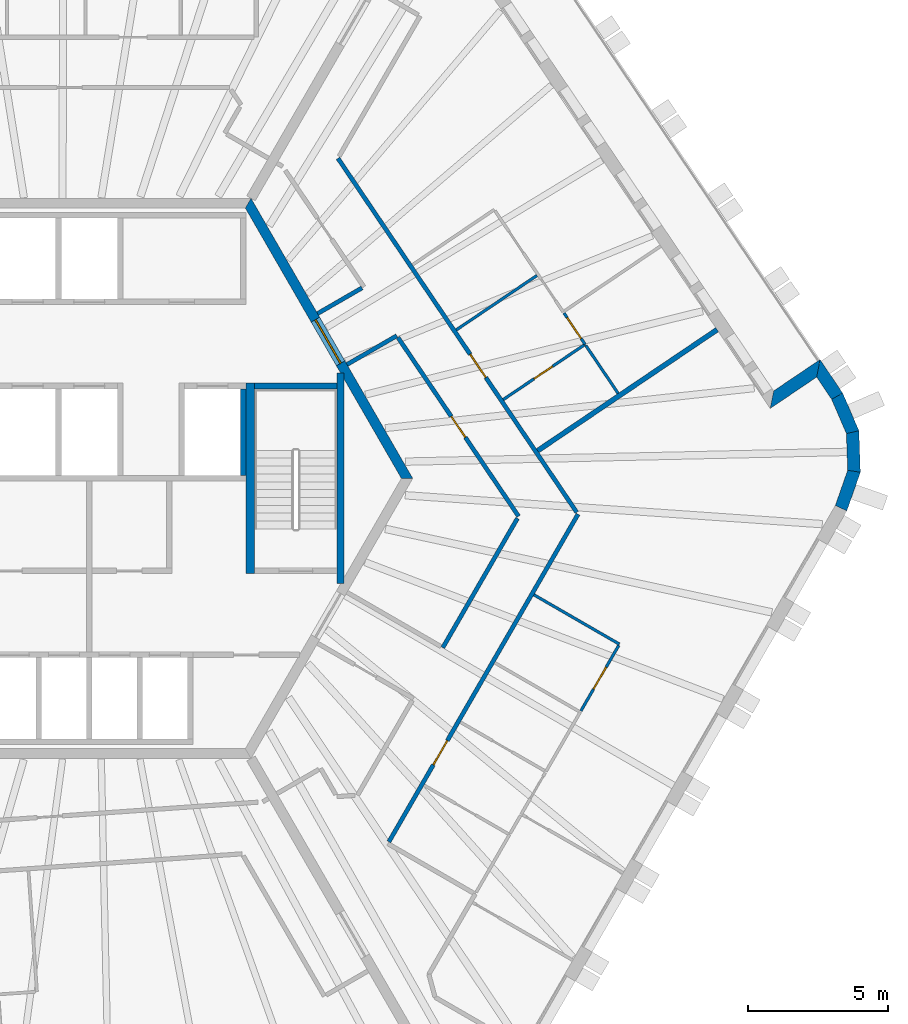
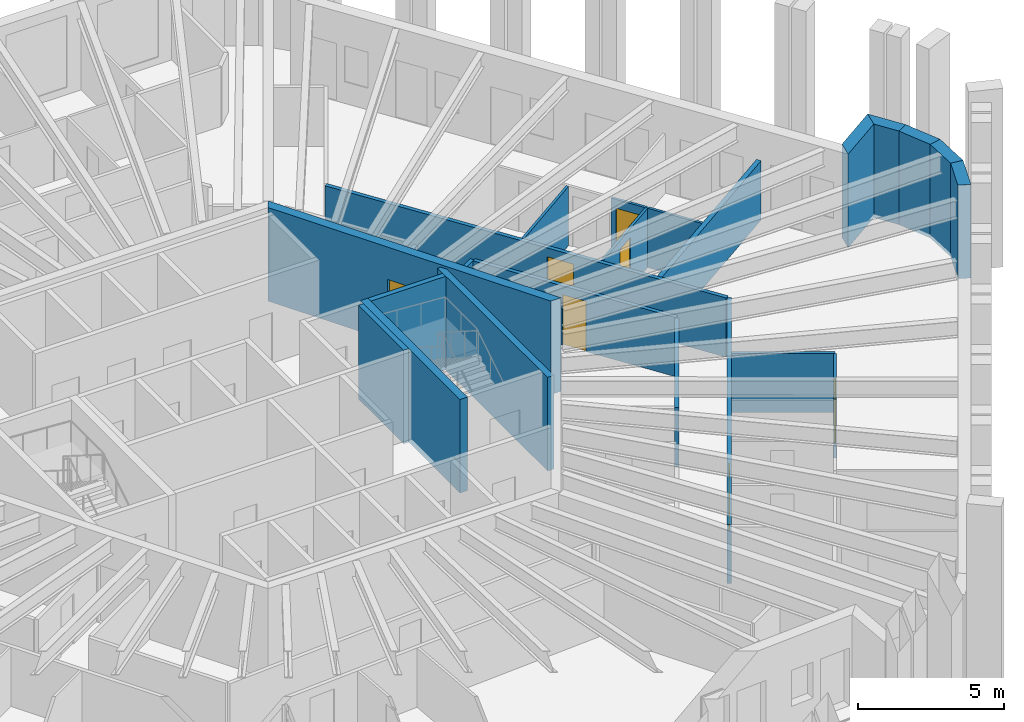
# One storey, part 7 of 12: 23 walls, 7 doors, 7 openings.
"""IFC4 building model written with IfcOpenShell, lengths in metres."""

from ifc_helpers import new_model, si_unit, direction, frame, frame_2d, origin, place, context, subcontext, project, spatial, polyline, rectangle, outline, extrude, material, layer, layer_set, type_object, element, fill, save


model = new_model("IFC4")

# Units and contexts
model_context = context("Model", 3, precision=1e-05, world=origin(), true_north=direction((0.0, 1.0)))
body_context = subcontext(model_context, "Body", "Model", "MODEL_VIEW")
ifc_project = project(units=[si_unit("LENGTHUNIT", "METRE"), si_unit("AREAUNIT", "SQUARE_METRE"), si_unit("VOLUMEUNIT", "CUBIC_METRE"), si_unit("PLANEANGLEUNIT", "RADIAN"), si_unit("MASSUNIT", "GRAM", prefix="KILO")], contexts=[model_context])

# Site, building, storey
site_placement = place(None, origin())
site = spatial("IfcSite", under=ifc_project, at=site_placement, CompositionType="ELEMENT")
building_placement = place(site_placement, origin())
building = spatial("IfcBuilding", under=site, at=building_placement, Name="Tarnside Tower", CompositionType="ELEMENT")
storey_placement = place(building_placement, frame((0.0, 0.0, 369.0)))
storey = spatial("IfcBuildingStorey", under=building, at=storey_placement, Name="L89", CompositionType="ELEMENT", Elevation=369.0)

# Wall, opening, door
ifc_material_1 = material(Name="Gypsum board partition on steel studs", Category="steel")
ifc_layer_1 = layer(ifc_material_1, 0.10009765625)
ifc_layer_set_1 = layer_set([ifc_layer_1], Name="Bathroom wall 100")
wall_type_1 = type_object("IfcWallType", Name="Bathroom wall 100", PredefinedType="PARTITIONING", material=ifc_layer_set_1)
wall_1_placement = place(storey_placement, frame((14.7783203125, 2.813232421875, 0.0), z_axis=(0.0, 0.0, 1.0), x_axis=(0.829033300448, 0.559199237078, 0.0)))
wall_1 = element("IfcWall", 1, at=wall_1_placement, inside=storey, type_object=wall_type_1, Name="Bathroom wall 29148", PredefinedType="PARTITIONING", context=body_context, shape_type="SweptSolid", body=[
    extrude(rectangle(XDim=3.525146484375, YDim=0.10009765625, at=frame_2d((1.7626953125, 0.0))), origin(), (0.0, 0.0, 1.0), 2.469970703125),
])
opening_1_placement = place(wall_1_placement, frame((1.324951171875, 0.0, 0.0)))
opening_1 = element("IfcOpeningElement", 2, at=opening_1_placement, cuts=wall_1, Name="Opening D-B1", PredefinedType="OPENING", context=body_context, shape_type="SweptSolid", body=[
    extrude(rectangle(XDim=0.800048828125, YDim=2.10009765625, at=frame_2d((0.39990234375, 1.050048828125))), frame((0.0, 0.06005859375, 0.0), z_axis=(0.0, -1.0, 0.0), x_axis=(1.0, 0.0, 0.0)), (0.0, 0.0, 1.0), 0.1201171875),
])
ifc_material_2 = material(Name="Timber door leaf", Category="wood")
door_type_1 = type_object("IfcDoorType", Name="Bathroom door 800", OperationType="NOTDEFINED", PredefinedType="DOOR", material=ifc_material_2)
door_1_placement = place(opening_1_placement, origin())
door_1 = element("IfcDoor", 3, at=door_1_placement, inside=storey, type_object=door_type_1, Name="Bathroom door 29051", OperationType="SINGLE_SWING_RIGHT", OverallHeight=2.10009765625, OverallWidth=0.800048828125, PredefinedType="DOOR", context=body_context, shape_type="SweptSolid", body=[
    extrude(rectangle(XDim=0.800048828125, YDim=2.10009765625, at=frame_2d((0.39990234375, 1.050048828125))), frame((0.0, 0.02490234375, 0.0), z_axis=(0.0, -1.0, 0.0), x_axis=(1.0, 0.0, 0.0)), (0.0, 0.0, 1.0), 0.050048828125),
])
fill(opening_1, door_1)

# Wall
wall_2_placement = place(storey_placement, frame((18.880615234375, 3.03515625, 0.0), z_axis=(0.0, 0.0, 1.0), x_axis=(-0.559200338399, 0.829032557584, 0.0)))
element("IfcWall", 4, at=wall_2_placement, inside=storey, type_object=wall_type_1, Name="Bathroom wall 29151", PredefinedType="PARTITIONING", context=body_context, shape_type="SweptSolid", body=[
    extrude(rectangle(XDim=2.06201171875, YDim=0.10009765625, at=frame_2d((1.031005859375, 0.0))), origin(), (0.0, 0.0, 1.0), 2.469970703125),
])

# Wall, opening, door
ifc_material_3 = material(Name="Concrete C50/60", Category="concrete")
ifc_layer_2 = layer(ifc_material_3, 0.35009765625)
ifc_layer_set_2 = layer_set([ifc_layer_2], Name="Core wall Z4 350 C50/60")
wall_type_2 = type_object("IfcWallType", Name="Core wall Z4 350 C50/60", PredefinedType="SHEAR", material=ifc_layer_set_2)
wall_3_placement = place(storey_placement, frame((11.344970703125, 0.0, -0.14990234375), z_axis=(0.0, 0.0, 1.0), x_axis=(-0.499995046907, 0.866028263435, 0.0)))
wall_3 = element("IfcWall", 5, at=wall_3_placement, inside=storey, type_object=wall_type_2, Name="L89 core wall face 6", PredefinedType="SHEAR", context=body_context, shape_type="SweptSolid", body=[
    extrude(outline(polyline([(-0.10107421875, -0.175048828125), (11.44580078125, -0.175048828125), (11.24365234375, 0.175048828125), (0.10107421875, 0.175048828125), (-0.10107421875, -0.175048828125)])), origin(), (0.0, 0.0, 1.0), 3.89990234375),
])
opening_2_placement = place(wall_3_placement, frame((4.74365234375, 0.0, 0.14990234375)))
opening_2 = element("IfcOpeningElement", 6, at=opening_2_placement, cuts=wall_3, Name="Opening CD-LOB", PredefinedType="OPENING", context=body_context, shape_type="SweptSolid", body=[
    extrude(rectangle(XDim=1.800048828125, YDim=2.39990234375, at=frame_2d((0.89990234375, 1.199951171875))), frame((0.0, 0.18505859375, 0.0), z_axis=(0.0, -1.0, 0.0), x_axis=(1.0, 0.0, 0.0)), (0.0, 0.0, 1.0), 0.3701171875),
])
ifc_material_4 = material(Name="Steel fire door", Category="steel")
door_type_2 = type_object("IfcDoorType", Name="Lobby double door FD30S 1800x2400", OperationType="NOTDEFINED", PredefinedType="DOOR", material=ifc_material_4)
door_2_placement = place(opening_2_placement, origin())
door_2 = element("IfcDoor", 7, at=door_2_placement, inside=storey, type_object=door_type_2, Name="L89 core door P2", OperationType="DOUBLE_DOOR_SINGLE_SWING", OverallHeight=2.39990234375, OverallWidth=1.800048828125, PredefinedType="DOOR", context=body_context, shape_type="SweptSolid", body=[
    extrude(rectangle(XDim=1.800048828125, YDim=2.39990234375, at=frame_2d((0.89990234375, 1.199951171875))), frame((0.0, 0.02490234375, 0.0), z_axis=(0.0, -1.0, 0.0), x_axis=(1.0, 0.0, 0.0)), (0.0, 0.0, 1.0), 0.050048828125),
])
fill(opening_2, door_2)

ifc_layer_3 = layer(ifc_material_1, 0.14990234375)
ifc_layer_set_3 = layer_set([ifc_layer_3], Name="Corridor wall 150 EI 60")
wall_type_3 = type_object("IfcWallType", Name="Corridor wall 150 EI 60", PredefinedType="PARTITIONING", material=ifc_layer_set_3)
wall_4_placement = place(storey_placement, frame((10.696533203125, -12.973388671875, 0.0), z_axis=(0.0, 0.0, 1.0), x_axis=(0.499991115059, 0.866030533446, 0.0)))
wall_4 = element("IfcWall", 8, at=wall_4_placement, inside=storey, type_object=wall_type_3, Name="Corridor wall 29051", PredefinedType="PARTITIONING", context=body_context, shape_type="SweptSolid", body=[
    extrude(rectangle(XDim=13.503662109375, YDim=0.14990234375, at=frame_2d((6.751953125, 0.0))), origin(), (0.0, 0.0, 1.0), 2.469970703125),
])
opening_3_placement = place(wall_4_placement, frame((3.175048828125, 0.0, 0.0)))
opening_3 = element("IfcOpeningElement", 9, at=opening_3_placement, cuts=wall_4, Name="Opening D-E1", PredefinedType="OPENING", context=body_context, shape_type="SweptSolid", body=[
    extrude(rectangle(XDim=1.0, YDim=2.10009765625, at=frame_2d((0.5, 1.050048828125))), frame((0.0, 0.0849609375, 0.0), z_axis=(0.0, -1.0, 0.0), x_axis=(1.0, 0.0, 0.0)), (0.0, 0.0, 1.0), 0.169921875),
])
door_type_3 = type_object("IfcDoorType", Name="Unit entrance door 1000 FD30S", OperationType="NOTDEFINED", PredefinedType="DOOR", material=ifc_material_2)
door_3_placement = place(opening_3_placement, origin())
door_3 = element("IfcDoor", 10, at=door_3_placement, inside=storey, type_object=door_type_3, Name="Unit door 29041", OperationType="SINGLE_SWING_LEFT", OverallHeight=2.10009765625, OverallWidth=1.0, PredefinedType="DOOR", context=body_context, shape_type="SweptSolid", body=[
    extrude(rectangle(XDim=1.0, YDim=2.10009765625, at=frame_2d((0.5, 1.050048828125))), frame((0.0, 0.02490234375, 0.0), z_axis=(0.0, -1.0, 0.0), x_axis=(1.0, 0.0, 0.0)), (0.0, 0.0, 1.0), 0.050048828125),
])
fill(opening_3, door_3)

wall_5_placement = place(storey_placement, frame((17.4013671875, -1.209716796875, 0.0), z_axis=(0.0, 0.0, 1.0), x_axis=(-0.559186729505, 0.829041736914, 0.0)))
wall_5 = element("IfcWall", 11, at=wall_5_placement, inside=storey, type_object=wall_type_3, Name="Corridor wall 29052", PredefinedType="PARTITIONING", context=body_context, shape_type="SweptSolid", body=[
    extrude(rectangle(XDim=15.24267578125, YDim=0.14990234375, at=frame_2d((7.621337890625, 0.0))), origin(), (0.0, 0.0, 1.0), 2.469970703125),
])
opening_4_placement = place(wall_5_placement, frame((5.80224609375, 0.0, 0.0)))
opening_4 = element("IfcOpeningElement", 12, at=opening_4_placement, cuts=wall_5, Name="Opening D-E1", PredefinedType="OPENING", context=body_context, shape_type="SweptSolid", body=[
    extrude(rectangle(XDim=1.0, YDim=2.10009765625, at=frame_2d((0.5, 1.050048828125))), frame((0.0, 0.0849609375, 0.0), z_axis=(0.0, -1.0, 0.0), x_axis=(1.0, 0.0, 0.0)), (0.0, 0.0, 1.0), 0.169921875),
])
door_4_placement = place(opening_4_placement, origin())
door_4 = element("IfcDoor", 13, at=door_4_placement, inside=storey, type_object=door_type_3, Name="Unit door 29050", OperationType="SINGLE_SWING_RIGHT", OverallHeight=2.10009765625, OverallWidth=1.0, PredefinedType="DOOR", context=body_context, shape_type="SweptSolid", body=[
    extrude(rectangle(XDim=1.0, YDim=2.10009765625, at=frame_2d((0.5, 1.050048828125))), frame((0.0, 0.02490234375, 0.0), z_axis=(0.0, -1.0, 0.0), x_axis=(1.0, 0.0, 0.0)), (0.0, 0.0, 1.0), 0.050048828125),
])
fill(opening_4, door_4)

# Wall
wall_6_placement = place(storey_placement, frame((9.19970703125, 4.065673828125, 0.0), z_axis=(0.0, 0.0, 1.0), x_axis=(0.866011447264, 0.500024172624, 0.0)))
element("IfcWall", 14, at=wall_6_placement, inside=storey, type_object=wall_type_3, Name="Corridor wall 29068", PredefinedType="PARTITIONING", context=body_context, shape_type="SweptSolid", body=[
    extrude(rectangle(XDim=2.0546875, YDim=0.14990234375, at=frame_2d((1.02734375, 0.0))), origin(), (0.0, 0.0, 1.0), 2.469970703125),
])

# Wall, opening, door
wall_7_placement = place(storey_placement, frame((11.02099609375, 5.03076171875, 0.0), z_axis=(0.0, 0.0, 1.0), x_axis=(0.559191842266, -0.829038288346, 0.0)))
wall_7 = element("IfcWall", 15, at=wall_7_placement, inside=storey, type_object=wall_type_3, Name="Corridor wall 29069", PredefinedType="PARTITIONING", context=body_context, shape_type="SweptSolid", body=[
    extrude(rectangle(XDim=7.7001953125, YDim=0.14990234375, at=frame_2d((3.85009765625, 0.0))), origin(), (0.0, 0.0, 1.0), 2.469970703125),
])
opening_5_placement = place(wall_7_placement, frame((3.400146484375, 0.0, 0.0)))
opening_5 = element("IfcOpeningElement", 16, at=opening_5_placement, cuts=wall_7, Name="Opening D-S1", PredefinedType="OPENING", context=body_context, shape_type="SweptSolid", body=[
    extrude(rectangle(XDim=0.89990234375, YDim=2.10009765625, at=frame_2d((0.449951171875, 1.050048828125))), frame((0.0, 0.0849609375, 0.0), z_axis=(0.0, -1.0, 0.0), x_axis=(1.0, 0.0, 0.0)), (0.0, 0.0, 1.0), 0.169921875),
])
door_type_4 = type_object("IfcDoorType", Name="Service room door 900 FD30S", OperationType="NOTDEFINED", PredefinedType="DOOR", material=ifc_material_2)
door_5_placement = place(opening_5_placement, origin())
door_5 = element("IfcDoor", 17, at=door_5_placement, inside=storey, type_object=door_type_4, Name="Service door 29061", OperationType="SINGLE_SWING_LEFT", OverallHeight=2.10009765625, OverallWidth=0.89990234375, PredefinedType="DOOR", context=body_context, shape_type="SweptSolid", body=[
    extrude(rectangle(XDim=0.89990234375, YDim=2.10009765625, at=frame_2d((0.449951171875, 1.050048828125))), frame((0.0, 0.02490234375, 0.0), z_axis=(0.0, -1.0, 0.0), x_axis=(1.0, 0.0, 0.0)), (0.0, 0.0, 1.0), 0.050048828125),
])
fill(opening_5, door_5)

# Walls
wall_8_placement = place(storey_placement, frame((15.28515625, -1.42529296875, 0.0), z_axis=(0.0, 0.0, 1.0), x_axis=(-0.499972278664, -0.866041408113, 0.0)))
element("IfcWall", 18, at=wall_8_placement, inside=storey, type_object=wall_type_3, Name="Corridor wall 29070", PredefinedType="PARTITIONING", context=body_context, shape_type="SweptSolid", body=[
    extrude(rectangle(XDim=5.329345703125, YDim=0.14990234375, at=frame_2d((2.66455078125, 0.0))), origin(), (0.0, 0.0, 1.0), 2.469970703125),
])
wall_9_placement = place(storey_placement, frame((9.73681640625, 6.800537109375, 0.0), z_axis=(0.0, 0.0, 1.0), x_axis=(-0.866045829247, -0.499964620392, 0.0)))
element("IfcWall", 19, at=wall_9_placement, inside=storey, type_object=wall_type_3, Name="Corridor wall 29079", PredefinedType="PARTITIONING", context=body_context, shape_type="SweptSolid", body=[
    extrude(rectangle(XDim=1.832763671875, YDim=0.14990234375, at=frame_2d((0.91650390625, 0.0))), origin(), (0.0, 0.0, 1.0), 2.469970703125),
])
ifc_layer_4 = layer(ifc_material_1, 0.179931640625)
ifc_layer_set_4 = layer_set([ifc_layer_4], Name="Demising wall 180 EI 60")
wall_type_4 = type_object("IfcWallType", Name="Demising wall 180 EI 60", PredefinedType="PARTITIONING", material=ifc_layer_set_4)
wall_10_placement = place(storey_placement, frame((22.412841796875, 5.309326171875, 0.0), z_axis=(0.0, 0.0, 1.0), x_axis=(-0.82903328576, -0.559199258853, 0.0)))
element("IfcWall", 20, at=wall_10_placement, inside=storey, type_object=wall_type_4, Name="Demising wall 29136", PredefinedType="PARTITIONING", context=body_context, shape_type="SweptSolid", body=[
    extrude(rectangle(XDim=7.72509765625, YDim=0.179931640625, at=frame_2d((3.862548828125, 0.0))), origin(), (0.0, 0.0, 1.0), 2.469970703125),
])
ifc_material_5 = material(Name="Concrete C40/50", Category="concrete")
ifc_layer_5 = layer(ifc_material_5, 0.199951171875)
ifc_layer_set_5 = layer_set([ifc_layer_5], Name="Lift shaft wall 200 C40/50")
wall_type_5 = type_object("IfcWallType", Name="Lift shaft wall 200 C40/50", PredefinedType="SHEAR", material=ifc_layer_set_5)
wall_11_placement = place(storey_placement, frame((5.5, 0.10009765625, -0.25), z_axis=(0.0, 0.0, 1.0), x_axis=(0.0, 1.0, 0.0)))
element("IfcWall", 21, at=wall_11_placement, inside=storey, type_object=wall_type_5, Name="L89 lift shaft partition R26", PredefinedType="SHEAR", context=body_context, shape_type="SweptSolid", body=[
    extrude(rectangle(XDim=3.099853515625, YDim=0.199951171875, at=frame_2d((1.5498046875, 0.0))), origin(), (0.0, 0.0, 1.0), 3.89990234375),
])
wall_12_placement = place(storey_placement, frame((5.89990234375, 3.300048828125, -0.25), z_axis=(0.0, 0.0, 1.0), x_axis=(1.0, 0.0, 0.0)))
element("IfcWall", 22, at=wall_12_placement, inside=storey, type_object=wall_type_5, Name="L89 stair 1 enclosure cap wall n", PredefinedType="SHEAR", context=body_context, shape_type="SweptSolid", body=[
    extrude(rectangle(XDim=2.9501953125, YDim=0.199951171875, at=frame_2d((1.47509765625, 0.0))), origin(), (0.0, 0.0, 1.0), 3.89990234375),
])
ifc_material_6 = material(Name="Dark zinc cladding")
ifc_layer_6 = layer(ifc_material_6, 0.10205078125)
ifc_material_7 = material(Name="Concrete C60/75 precast", Category="concrete")
ifc_layer_7 = layer(ifc_material_7, 0.248046875)
ifc_material_8 = material(Name="Mineral wool insulation")
ifc_layer_8 = layer(ifc_material_8, 0.10009765625)
ifc_layer_set_6 = layer_set([ifc_layer_6, ifc_layer_7, ifc_layer_8], Name="Loggia wall 450 zinc faced")
wall_type_6 = type_object("IfcWallType", Name="Loggia wall 450 zinc faced", PredefinedType="SOLIDWALL", material=ifc_layer_set_6)
wall_13_placement = place(storey_placement, frame((26.69873046875, 2.93408203125, -0.14990234375), z_axis=(0.0, 0.0, 1.0), x_axis=(-0.559105892217, 0.829096255744, 0.0)))
element("IfcWall", 23, at=wall_13_placement, inside=storey, type_object=wall_type_6, Name="Tube wall L89 F6 stub 28", PredefinedType="SOLIDWALL", context=body_context, shape_type="SweptSolid", body=[
    extrude(outline(polyline([(-0.02099609375, -0.22509765625), (1.4248046875, -0.22509765625), (0.97509765625, 0.22509765625), (0.02099609375, 0.22509765625), (-0.02099609375, -0.22509765625)])), origin(), (0.0, 0.0, 1.0), 3.89990234375),
])
wall_14_placement = place(storey_placement, frame((26.02783203125, 3.928955078125, -0.14990234375), z_axis=(0.0, 0.0, 1.0), x_axis=(-0.829052389485, -0.559170935841, 0.0)))
element("IfcWall", 24, at=wall_14_placement, inside=storey, type_object=wall_type_6, Name="Tube wall L89 F6 return 29", PredefinedType="SOLIDWALL", context=body_context, shape_type="SweptSolid", body=[
    extrude(outline(polyline([(-0.224853515625, -0.22509765625), (1.77490234375, -0.22509765625), (2.22509765625, 0.22509765625), (0.224853515625, 0.22509765625), (-0.224853515625, -0.22509765625)])), origin(), (0.0, 0.0, 1.0), 3.89990234375),
])
ifc_layer_9 = layer(ifc_material_1, 0.10009765625)
ifc_layer_set_7 = layer_set([ifc_layer_9], Name="Partition 100")
wall_type_7 = type_object("IfcWallType", Name="Partition 100", PredefinedType="PARTITIONING", material=ifc_layer_set_7)
wall_15_placement = place(storey_placement, frame((15.873779296875, -4.15576171875, 0.0), z_axis=(0.0, 0.0, 1.0), x_axis=(0.866031034943, -0.499990246421, 0.0)))
element("IfcWall", 25, at=wall_15_placement, inside=storey, type_object=wall_type_7, Name="Partition wall 29134", PredefinedType="PARTITIONING", context=body_context, shape_type="SweptSolid", body=[
    extrude(rectangle(XDim=3.52490234375, YDim=0.10009765625, at=frame_2d((1.762451171875, 0.0))), origin(), (0.0, 0.0, 1.0), 2.469970703125),
])

# Wall, opening, door
wall_16_placement = place(storey_placement, frame((18.901611328125, -5.96142578125, 0.0), z_axis=(0.0, 0.0, 1.0), x_axis=(-0.50000943426, -0.866019956843, 0.0)))
wall_16 = element("IfcWall", 26, at=wall_16_placement, inside=storey, type_object=wall_type_7, Name="Partition wall 29135", PredefinedType="PARTITIONING", context=body_context, shape_type="SweptSolid", body=[
    extrude(rectangle(XDim=2.7001953125, YDim=0.10009765625, at=frame_2d((1.35009765625, 0.0))), origin(), (0.0, 0.0, 1.0), 2.469970703125),
])
opening_6_placement = place(wall_16_placement, frame((0.89990234375, 0.0, 0.0)))
opening_6 = element("IfcOpeningElement", 27, at=opening_6_placement, cuts=wall_16, Name="Opening D-I1", PredefinedType="OPENING", context=body_context, shape_type="SweptSolid", body=[
    extrude(rectangle(XDim=0.89990234375, YDim=2.10009765625, at=frame_2d((0.449951171875, 1.050048828125))), frame((0.0, 0.06005859375, 0.0), z_axis=(0.0, -1.0, 0.0), x_axis=(1.0, 0.0, 0.0)), (0.0, 0.0, 1.0), 0.1201171875),
])
door_type_5 = type_object("IfcDoorType", Name="Internal door 900", OperationType="NOTDEFINED", PredefinedType="DOOR", material=ifc_material_2)
door_6_placement = place(opening_6_placement, origin())
door_6 = element("IfcDoor", 28, at=door_6_placement, inside=storey, type_object=door_type_5, Name="Internal door 29049", OperationType="SINGLE_SWING_RIGHT", OverallHeight=2.10009765625, OverallWidth=0.89990234375, PredefinedType="DOOR", context=body_context, shape_type="SweptSolid", body=[
    extrude(rectangle(XDim=0.89990234375, YDim=2.10009765625, at=frame_2d((0.449951171875, 1.050048828125))), frame((0.0, 0.02490234375, 0.0), z_axis=(0.0, -1.0, 0.0), x_axis=(1.0, 0.0, 0.0)), (0.0, 0.0, 1.0), 0.050048828125),
])
fill(opening_6, door_6)

wall_17_placement = place(storey_placement, frame((17.701904296875, 4.78271484375, 0.0), z_axis=(0.0, 0.0, 1.0), x_axis=(-0.559150326391, 0.829066289567, 0.0)))
wall_17 = element("IfcWall", 29, at=wall_17_placement, inside=storey, type_object=wall_type_7, Name="Partition wall 29149", PredefinedType="PARTITIONING", context=body_context, shape_type="SweptSolid", body=[
    extrude(rectangle(XDim=1.352294921875, YDim=0.10009765625, at=frame_2d((0.67626953125, 0.0))), origin(), (0.0, 0.0, 1.0), 2.469970703125),
])
opening_7_placement = place(wall_17_placement, frame((0.251953125, 0.0, 0.0)))
opening_7 = element("IfcOpeningElement", 30, at=opening_7_placement, cuts=wall_17, Name="Opening D-I1", PredefinedType="OPENING", context=body_context, shape_type="SweptSolid", body=[
    extrude(rectangle(XDim=0.89990234375, YDim=2.10009765625, at=frame_2d((0.449951171875, 1.050048828125))), frame((0.0, 0.06005859375, 0.0), z_axis=(0.0, -1.0, 0.0), x_axis=(1.0, 0.0, 0.0)), (0.0, 0.0, 1.0), 0.1201171875),
])
door_7_placement = place(opening_7_placement, origin())
door_7 = element("IfcDoor", 31, at=door_7_placement, inside=storey, type_object=door_type_5, Name="Internal door 29053", OperationType="SINGLE_SWING_LEFT", OverallHeight=2.10009765625, OverallWidth=0.89990234375, PredefinedType="DOOR", context=body_context, shape_type="SweptSolid", body=[
    extrude(rectangle(XDim=0.89990234375, YDim=2.10009765625, at=frame_2d((0.449951171875, 1.050048828125))), frame((0.0, 0.02490234375, 0.0), z_axis=(0.0, -1.0, 0.0), x_axis=(1.0, 0.0, 0.0)), (0.0, 0.0, 1.0), 0.050048828125),
])
fill(opening_7, door_7)

# Walls
wall_18_placement = place(storey_placement, frame((15.981689453125, 7.24365234375, 0.0), z_axis=(0.0, 0.0, 1.0), x_axis=(-0.829044102949, -0.559183221642, 0.0)))
element("IfcWall", 32, at=wall_18_placement, inside=storey, type_object=wall_type_7, Name="Partition wall 29150", PredefinedType="PARTITIONING", context=body_context, shape_type="SweptSolid", body=[
    extrude(rectangle(XDim=3.474853515625, YDim=0.10009765625, at=frame_2d((1.7373046875, 0.0))), origin(), (0.0, 0.0, 1.0), 2.469970703125),
])
ifc_layer_10 = layer(ifc_material_5, 0.25)
ifc_layer_set_8 = layer_set([ifc_layer_10], Name="Stair enclosure wall 250 C40/50")
wall_type_8 = type_object("IfcWallType", Name="Stair enclosure wall 250 C40/50", PredefinedType="SHEAR", material=ifc_layer_set_8)
wall_19_placement = place(storey_placement, frame((8.97509765625, -3.7548828125, -0.25), z_axis=(0.0, 0.0, 1.0), x_axis=(0.0, 1.0, 0.0)))
element("IfcWall", 33, at=wall_19_placement, inside=storey, type_object=wall_type_8, Name="L89 stair 1 enclosure wall outer", PredefinedType="SHEAR", context=body_context, shape_type="SweptSolid", body=[
    extrude(rectangle(XDim=7.509765625, YDim=0.25, at=frame_2d((3.7548828125, 0.0))), origin(), (0.0, 0.0, 1.0), 3.89990234375),
])
ifc_layer_11 = layer(ifc_material_5, 0.300048828125)
ifc_layer_set_9 = layer_set([ifc_layer_11], Name="Stair enclosure wall 300 C40/50")
wall_type_9 = type_object("IfcWallType", Name="Stair enclosure wall 300 C40/50", PredefinedType="SHEAR", material=ifc_layer_set_9)
wall_20_placement = place(storey_placement, frame((5.75, -3.39990234375, -0.25), z_axis=(0.0, 0.0, 1.0), x_axis=(0.0, 1.0, 0.0)))
element("IfcWall", 34, at=wall_20_placement, inside=storey, type_object=wall_type_9, Name="L89 stair 1 enclosure wall inner", PredefinedType="SHEAR", context=body_context, shape_type="SweptSolid", body=[
    extrude(rectangle(XDim=6.7998046875, YDim=0.300048828125, at=frame_2d((3.39990234375, 0.0))), origin(), (0.0, 0.0, 1.0), 3.89990234375),
])
ifc_material_9 = material(Name="Facing brick", Category="masonry")
ifc_layer_12 = layer(ifc_material_9, 0.10205078125)
ifc_layer_13 = layer(ifc_material_7, 0.248046875)
ifc_layer_14 = layer(ifc_material_8, 0.10009765625)
ifc_layer_set_10 = layer_set([ifc_layer_12, ifc_layer_13, ifc_layer_14], Name="Tube wall 450 brick faced")
wall_type_10 = type_object("IfcWallType", Name="Tube wall 450 brick faced", PredefinedType="SOLIDWALL", material=ifc_layer_set_10)
wall_21_placement = place(storey_placement, frame((26.83837890625, -1.064453125, -0.14990234375), z_axis=(0.0, 0.0, 1.0), x_axis=(0.331074067573, 0.943604769901, 0.0)))
element("IfcWall", 35, at=wall_21_placement, inside=storey, type_object=wall_type_10, Name="Tube wall L89 F5 chord 25", PredefinedType="SOLIDWALL", context=body_context, shape_type="SweptSolid", body=[
    extrude(outline(polyline([(-0.02099609375, -0.22509765625), (1.43994140625, -0.22509765625), (1.35498046875, 0.22509765625), (0.02099609375, 0.22509765625), (-0.02099609375, -0.22509765625)])), origin(), (0.0, 0.0, 1.0), 3.89990234375),
])
wall_22_placement = place(storey_placement, frame((27.301025390625, 0.254150390625, -0.14990234375), z_axis=(0.0, 0.0, 1.0), x_axis=(-0.034763104447, 0.999395580623, 0.0)))
element("IfcWall", 36, at=wall_22_placement, inside=storey, type_object=wall_type_10, Name="Tube wall L89 F5 chord 26", PredefinedType="SOLIDWALL", context=body_context, shape_type="SweptSolid", body=[
    extrude(outline(polyline([(-0.04248046875, -0.22509765625), (1.43994140625, -0.22509765625), (1.35498046875, 0.22509765625), (0.04248046875, 0.22509765625), (-0.04248046875, -0.22509765625)])), origin(), (0.0, 0.0, 1.0), 3.89990234375),
])
wall_23_placement = place(storey_placement, frame((27.25244140625, 1.65087890625, -0.14990234375), z_axis=(0.0, 0.0, 1.0), x_axis=(-0.396195073027, 0.918166359713, 0.0)))
element("IfcWall", 37, at=wall_23_placement, inside=storey, type_object=wall_type_10, Name="Tube wall L89 F5 chord 27", PredefinedType="SOLIDWALL", context=body_context, shape_type="SweptSolid", body=[
    extrude(outline(polyline([(-0.04248046875, -0.22509765625), (1.41845703125, -0.22509765625), (1.37646484375, 0.22509765625), (0.04248046875, 0.22509765625), (-0.04248046875, -0.22509765625)])), origin(), (0.0, 0.0, 1.0), 3.89990234375),
])

save(model, "model.ifc")
